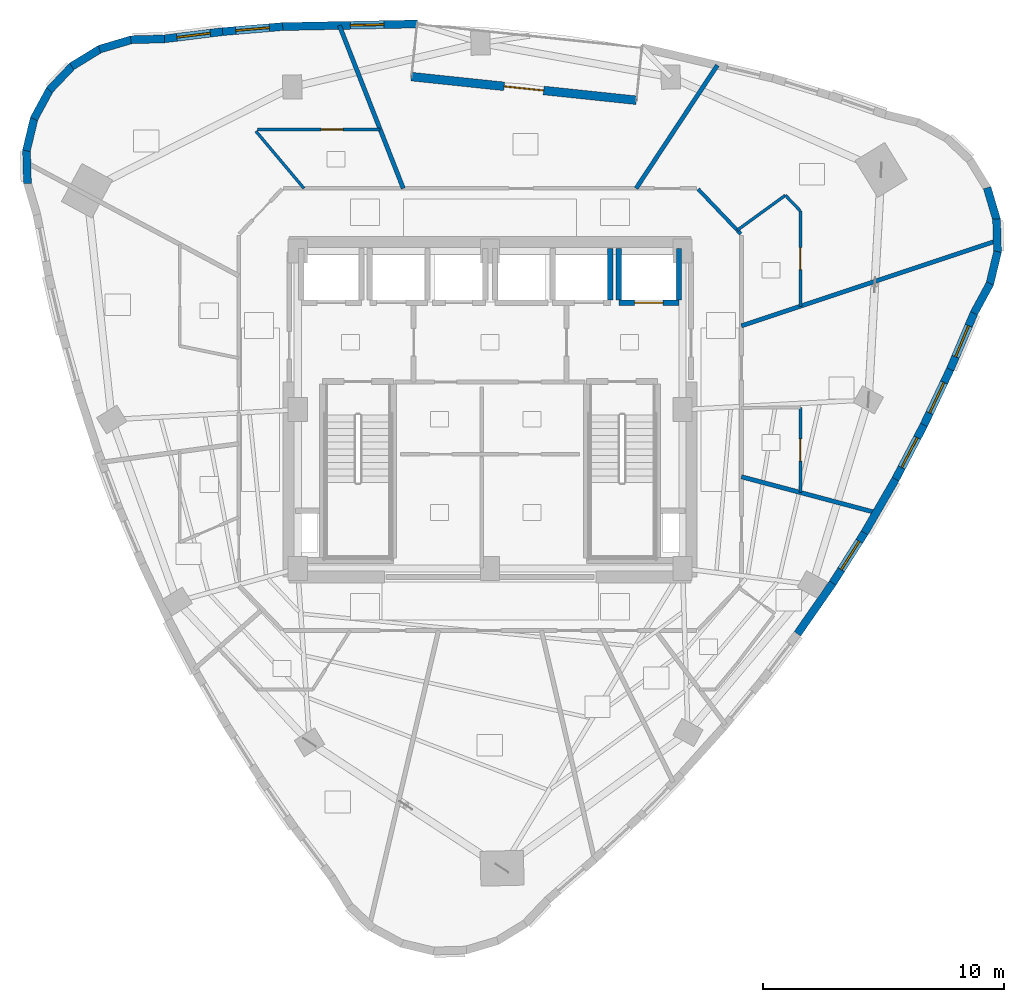
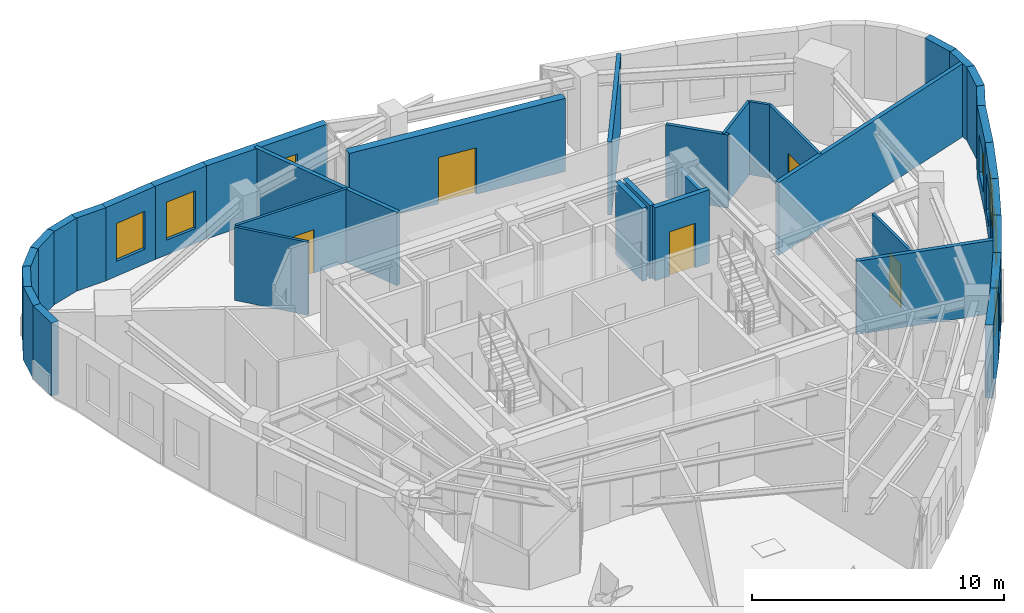
# One storey, part 8 of 12: 36 walls, 7 windows, 5 doors, 12 openings.
"""IFC4 building model written with IfcOpenShell, lengths in metres."""

from ifc_helpers import new_model, si_unit, direction, frame, frame_2d, origin, place, context, subcontext, project, spatial, rectangle, extrude, material, layer, layer_set, type_object, element, fill, save


model = new_model("IFC4")

# Units and contexts
model_context = context("Model", 3, precision=1e-05, world=origin(), true_north=direction((0.0, 1.0)))
body_context = subcontext(model_context, "Body", "Model", "MODEL_VIEW")
ifc_project = project(units=[si_unit("LENGTHUNIT", "METRE"), si_unit("AREAUNIT", "SQUARE_METRE"), si_unit("VOLUMEUNIT", "CUBIC_METRE"), si_unit("PLANEANGLEUNIT", "RADIAN"), si_unit("MASSUNIT", "GRAM", prefix="KILO")], contexts=[model_context])

# Site, building, storey
site_placement = place(None, origin())
site = spatial("IfcSite", under=ifc_project, at=site_placement, CompositionType="ELEMENT")
building_placement = place(site_placement, origin())
building = spatial("IfcBuilding", under=site, at=building_placement, Name="Ndelora Gate Hotel", CompositionType="ELEMENT")
storey_placement = place(building_placement, frame((0.0, 0.0, 190.35009765625)))
storey = spatial("IfcBuildingStorey", under=building, at=storey_placement, Name="L47", CompositionType="ELEMENT", Elevation=190.35009765625)

# Walls
ifc_material_1 = material(Name="Acoustic Double-Stud Gypsum Assembly", Category="gypsum")
ifc_layer_1 = layer(ifc_material_1, 0.179931640625)
ifc_layer_set_1 = layer_set([ifc_layer_1], Name="Acoustic Double-Stud Gypsum Assembly")
wall_type_1 = type_object("IfcWallType", Name="WL-ACOUST-180", PredefinedType="PARTITIONING", material=ifc_layer_set_1)
wall_1_placement = place(storey_placement, frame((10.449951171875, -2.788330078125, 0.0), z_axis=(0.0, 0.0, 1.0), x_axis=(0.966187404049, -0.257840842879, 0.0)))
element("IfcWall", 1, at=wall_1_placement, inside=storey, type_object=wall_type_1, Name="L47 Interior Wall IW-3", PredefinedType="PARTITIONING", context=body_context, shape_type="SweptSolid", body=[
    extrude(rectangle(XDim=5.798583984375, YDim=0.179931640625, at=frame_2d((2.8994140625, 0.0))), origin(), (0.0, 0.0, 1.0), 3.5498046875),
])
wall_2_placement = place(storey_placement, frame((10.449951171875, 3.48388671875, 0.0), z_axis=(0.0, 0.0, 1.0), x_axis=(0.94867676156, 0.316247374812, 0.0)))
element("IfcWall", 2, at=wall_2_placement, inside=storey, type_object=wall_type_1, Name="L47 Interior Wall IW-3", PredefinedType="PARTITIONING", context=body_context, shape_type="SweptSolid", body=[
    extrude(rectangle(XDim=11.20556640625, YDim=0.179931640625, at=frame_2d((5.602783203125, 0.0))), origin(), (0.0, 0.0, 1.0), 3.5498046875),
])
wall_3_placement = place(storey_placement, frame((6.0703125, 9.199951171875, 0.0), z_axis=(0.0, 0.0, 1.0), x_axis=(0.550708603457, 0.834697570428, 0.0)))
element("IfcWall", 3, at=wall_3_placement, inside=storey, type_object=wall_type_1, Name="L47 Interior Wall IW-3", PredefinedType="PARTITIONING", context=body_context, shape_type="SweptSolid", body=[
    extrude(rectangle(XDim=6.135498046875, YDim=0.179931640625, at=frame_2d((3.06787109375, 0.0))), origin(), (0.0, 0.0, 1.0), 3.5498046875),
])
wall_4_placement = place(storey_placement, frame((-3.608642578125, 9.199951171875, 0.0), z_axis=(0.0, 0.0, 1.0), x_axis=(-0.365139424443, 0.930952845593, 0.0)))
element("IfcWall", 4, at=wall_4_placement, inside=storey, type_object=wall_type_1, Name="L47 Interior Wall IW-3", PredefinedType="PARTITIONING", context=body_context, shape_type="SweptSolid", body=[
    extrude(rectangle(XDim=7.275390625, YDim=0.179931640625, at=frame_2d((3.6376953125, 0.0))), origin(), (0.0, 0.0, 1.0), 3.5498046875),
])
ifc_material_2 = material(Name="Clay Brick Masonry", Category="masonry")
ifc_layer_2 = layer(ifc_material_2, 0.330078125)
ifc_layer_set_2 = layer_set([ifc_layer_2], Name="Clay Brick Masonry")
wall_type_2 = type_object("IfcWallType", Name="WL-BRICK-330", PredefinedType="SOLIDWALL", material=ifc_layer_set_2)
wall_5_placement = place(storey_placement, frame((-14.938232421875, 15.37939453125, 0.0), z_axis=(0.0, 0.0, 1.0), x_axis=(0.999656913907, 0.02619264168, 0.0)))
element("IfcWall", 5, at=wall_5_placement, inside=storey, type_object=wall_type_2, Name="L47 Tower Brick Pier-and-Spandrel Wall TWR-1", PredefinedType="SOLIDWALL", context=body_context, shape_type="SweptSolid", body=[
    extrude(rectangle(XDim=1.407470703125, YDim=0.330078125, at=frame_2d((0.70361328125, 0.0))), origin(), (0.0, 0.0, 1.0), 3.5498046875),
])
wall_6_placement = place(storey_placement, frame((-16.23876953125, 14.9873046875, 0.0), z_axis=(0.0, 0.0, 1.0), x_axis=(0.958794613149, 0.284100140437, 0.0)))
element("IfcWall", 6, at=wall_6_placement, inside=storey, type_object=wall_type_2, Name="L47 Tower Brick Pier-and-Spandrel Wall TWR-2", PredefinedType="SOLIDWALL", context=body_context, shape_type="SweptSolid", body=[
    extrude(rectangle(XDim=1.40771484375, YDim=0.330078125, at=frame_2d((0.703857421875, 0.0))), origin(), (0.0, 0.0, 1.0), 3.5498046875),
])
wall_7_placement = place(storey_placement, frame((-17.3935546875, 14.272216796875, 0.0), z_axis=(0.0, 0.0, 1.0), x_axis=(0.852633662668, 0.522509174355, 0.0)))
element("IfcWall", 7, at=wall_7_placement, inside=storey, type_object=wall_type_2, Name="L47 Tower Brick Pier-and-Spandrel Wall TWR-3", PredefinedType="SOLIDWALL", context=body_context, shape_type="SweptSolid", body=[
    extrude(rectangle(XDim=1.4072265625, YDim=0.330078125, at=frame_2d((0.70361328125, 0.0))), origin(), (0.0, 0.0, 1.0), 3.5498046875),
])
wall_8_placement = place(storey_placement, frame((-18.323974609375, 13.282470703125, 0.0), z_axis=(0.0, 0.0, 1.0), x_axis=(0.688480442028, 0.725254907563, 0.0)))
element("IfcWall", 8, at=wall_8_placement, inside=storey, type_object=wall_type_2, Name="L47 Tower Brick Pier-and-Spandrel Wall TWR-4", PredefinedType="SOLIDWALL", context=body_context, shape_type="SweptSolid", body=[
    extrude(rectangle(XDim=1.407470703125, YDim=0.330078125, at=frame_2d((0.70361328125, 0.0))), origin(), (0.0, 0.0, 1.0), 3.5498046875),
])
wall_9_placement = place(storey_placement, frame((-18.96630859375, 12.085693359375, 0.0), z_axis=(0.0, 0.0, 1.0), x_axis=(0.477076549129, 0.878861744685, 0.0)))
element("IfcWall", 9, at=wall_9_placement, inside=storey, type_object=wall_type_2, Name="L47 Tower Brick Pier-and-Spandrel Wall TWR-5", PredefinedType="SOLIDWALL", context=body_context, shape_type="SweptSolid", body=[
    extrude(rectangle(XDim=1.4072265625, YDim=0.330078125, at=frame_2d((0.70361328125, 0.0))), origin(), (0.0, 0.0, 1.0), 3.5498046875),
])
for number, where, z_axis, x_axis, name in (
    (10, (-19.277099609375, 10.76318359375, 0.0), (0.0, 0.0, 1.0), (0.233464793771, 0.972365255482, 0.0), "L47 Tower Brick Pier-and-Spandrel Wall TWR-6"),
    (11, (-19.235107421875, 9.405517578125, 0.0), (0.0, 0.0, 1.0), (-0.02619264168, 0.999656913907, 0.0), "L47 Tower Brick Pier-and-Spandrel Wall TWR-7"),
):
    element("IfcWall", number, at=place(storey_placement, frame(where, z_axis=z_axis, x_axis=x_axis)), inside=storey, type_object=wall_type_2, Name=name, PredefinedType="SOLIDWALL", context=body_context, shape_type="SweptSolid", body=[
        extrude(rectangle(XDim=1.407470703125, YDim=0.330078125, at=frame_2d((0.70361328125, 0.0))), origin(), (0.0, 0.0, 1.0), 3.5498046875),
    ])
wall_10_placement = place(storey_placement, frame((14.244140625, -7.208740234375, 0.0), z_axis=(0.0, 0.0, 1.0), x_axis=(-0.5707327312, -0.821135889812, 0.0)))
element("IfcWall", 12, at=wall_10_placement, inside=storey, type_object=wall_type_2, Name="L47 Tower Brick Pier-and-Spandrel Wall TWR-35", PredefinedType="SOLIDWALL", context=body_context, shape_type="SweptSolid", body=[
    extrude(rectangle(XDim=2.566162109375, YDim=0.330078125, at=frame_2d((1.283203125, 0.0))), origin(), (0.0, 0.0, 1.0), 3.5498046875),
])

# Wall, opening, window
wall_11_placement = place(storey_placement, frame((15.59375, -5.079833984375, 0.0), z_axis=(0.0, 0.0, 1.0), x_axis=(-0.535842668183, -0.844317851851, 0.0)))
wall_11 = element("IfcWall", 13, at=wall_11_placement, inside=storey, type_object=wall_type_2, Name="L47 Tower Brick Pier-and-Spandrel Wall TWR-36", PredefinedType="SOLIDWALL", context=body_context, shape_type="SweptSolid", body=[
    extrude(rectangle(XDim=2.570556640625, YDim=0.330078125, at=frame_2d((1.28515625, 0.0))), origin(), (0.0, 0.0, 1.0), 3.5498046875),
])
opening_1_placement = place(wall_11_placement, frame((0.4599609375, 0.0, 0.719970703125)))
opening_1 = element("IfcOpeningElement", 14, at=opening_1_placement, cuts=wall_11, Name="Opening W02", PredefinedType="OPENING", context=body_context, shape_type="SweptSolid", body=[
    extrude(rectangle(XDim=1.39990234375, YDim=1.840087890625, at=frame_2d((0.699951171875, 0.919921875))), frame((0.0, 0.175048828125, 0.0), z_axis=(0.0, -1.0, 0.0), x_axis=(1.0, 0.0, 0.0)), (0.0, 0.0, 1.0), 0.35009765625),
])
ifc_material_3 = material(Name="Insulated Low-E Double Glazing in Bronze Aluminium Frame", Category="aluminium")
window_type = type_object("IfcWindowType", Name="WN-DEEP-1400", PartitioningType="SINGLE_PANEL", PredefinedType="WINDOW", material=ifc_material_3)
window_1_placement = place(opening_1_placement, origin())
window_1 = element("IfcWindow", 15, at=window_1_placement, inside=storey, type_object=window_type, Name="L47 Deep-Set Brick-Pier Window W02", OverallHeight=1.840087890625, OverallWidth=1.39990234375, PartitioningType="SINGLE_PANEL", PredefinedType="WINDOW", context=body_context, shape_type="SweptSolid", body=[
    extrude(rectangle(XDim=1.39990234375, YDim=1.840087890625, at=frame_2d((0.699951171875, 0.919921875))), frame((0.0, 0.030029296875, 0.0), z_axis=(0.0, -1.0, 0.0), x_axis=(1.0, 0.0, 0.0)), (0.0, 0.0, 1.0), 0.06005859375),
])
fill(opening_1, window_1)

# Wall
wall_12_placement = place(storey_placement, frame((16.85791015625, -2.88916015625, 0.0), z_axis=(0.0, 0.0, 1.0), x_axis=(-0.500170355229, -0.865927026804, 0.0)))
element("IfcWall", 16, at=wall_12_placement, inside=storey, type_object=wall_type_2, Name="L47 Tower Brick Pier-and-Spandrel Wall TWR-37", PredefinedType="SOLIDWALL", context=body_context, shape_type="SweptSolid", body=[
    extrude(rectangle(XDim=2.5791015625, YDim=0.330078125, at=frame_2d((1.28955078125, 0.0))), origin(), (0.0, 0.0, 1.0), 3.5498046875),
])

# Wall, opening, window
wall_13_placement = place(storey_placement, frame((18.036865234375, -0.636474609375, 0.0), z_axis=(0.0, 0.0, 1.0), x_axis=(-0.464084409115, -0.885790980546, 0.0)))
wall_13 = element("IfcWall", 17, at=wall_13_placement, inside=storey, type_object=wall_type_2, Name="L47 Tower Brick Pier-and-Spandrel Wall TWR-38", PredefinedType="SOLIDWALL", context=body_context, shape_type="SweptSolid", body=[
    extrude(rectangle(XDim=2.592529296875, YDim=0.330078125, at=frame_2d((1.29638671875, 0.0))), origin(), (0.0, 0.0, 1.0), 3.5498046875),
])
opening_2_placement = place(wall_13_placement, frame((0.59619140625, 0.0, 0.719970703125)))
opening_2 = element("IfcOpeningElement", 18, at=opening_2_placement, cuts=wall_13, Name="Opening W02", PredefinedType="OPENING", context=body_context, shape_type="SweptSolid", body=[
    extrude(rectangle(XDim=1.39990234375, YDim=1.840087890625, at=frame_2d((0.699951171875, 0.919921875))), frame((0.0, 0.175048828125, 0.0), z_axis=(0.0, -1.0, 0.0), x_axis=(1.0, 0.0, 0.0)), (0.0, 0.0, 1.0), 0.35009765625),
])
window_2_placement = place(opening_2_placement, origin())
window_2 = element("IfcWindow", 19, at=window_2_placement, inside=storey, type_object=window_type, Name="L47 Deep-Set Brick-Pier Window W02", OverallHeight=1.840087890625, OverallWidth=1.39990234375, PartitioningType="SINGLE_PANEL", PredefinedType="WINDOW", context=body_context, shape_type="SweptSolid", body=[
    extrude(rectangle(XDim=1.39990234375, YDim=1.840087890625, at=frame_2d((0.699951171875, 0.919921875))), frame((0.0, 0.030029296875, 0.0), z_axis=(0.0, -1.0, 0.0), x_axis=(1.0, 0.0, 0.0)), (0.0, 0.0, 1.0), 0.06005859375),
])
fill(opening_2, window_2)

wall_14_placement = place(storey_placement, frame((19.130126953125, 1.678466796875, 0.0), z_axis=(0.0, 0.0, 1.0), x_axis=(-0.427463017216, -0.904032836191, 0.0)))
wall_14 = element("IfcWall", 20, at=wall_14_placement, inside=storey, type_object=wall_type_2, Name="L47 Tower Brick Pier-and-Spandrel Wall TWR-39", PredefinedType="SOLIDWALL", context=body_context, shape_type="SweptSolid", body=[
    extrude(rectangle(XDim=2.610107421875, YDim=0.330078125, at=frame_2d((1.30517578125, 0.0))), origin(), (0.0, 0.0, 1.0), 3.5498046875),
])
opening_3_placement = place(wall_14_placement, frame((0.60498046875, 0.0, 0.719970703125)))
opening_3 = element("IfcOpeningElement", 21, at=opening_3_placement, cuts=wall_14, Name="Opening W02", PredefinedType="OPENING", context=body_context, shape_type="SweptSolid", body=[
    extrude(rectangle(XDim=1.39990234375, YDim=1.840087890625, at=frame_2d((0.699951171875, 0.919921875))), frame((0.0, 0.175048828125, 0.0), z_axis=(0.0, -1.0, 0.0), x_axis=(1.0, 0.0, 0.0)), (0.0, 0.0, 1.0), 0.35009765625),
])
window_3_placement = place(opening_3_placement, origin())
window_3 = element("IfcWindow", 22, at=window_3_placement, inside=storey, type_object=window_type, Name="L47 Deep-Set Brick-Pier Window W02", OverallHeight=1.840087890625, OverallWidth=1.39990234375, PartitioningType="SINGLE_PANEL", PredefinedType="WINDOW", context=body_context, shape_type="SweptSolid", body=[
    extrude(rectangle(XDim=1.39990234375, YDim=1.840087890625, at=frame_2d((0.699951171875, 0.919921875))), frame((0.0, 0.030029296875, 0.0), z_axis=(0.0, -1.0, 0.0), x_axis=(1.0, 0.0, 0.0)), (0.0, 0.0, 1.0), 0.06005859375),
])
fill(opening_3, window_3)

wall_15_placement = place(storey_placement, frame((20.13818359375, 4.05517578125, 0.0), z_axis=(0.0, 0.0, 1.0), x_axis=(-0.390838099147, -0.920459439766, 0.0)))
wall_15 = element("IfcWall", 23, at=wall_15_placement, inside=storey, type_object=wall_type_2, Name="L47 Tower Brick Pier-and-Spandrel Wall TWR-40", PredefinedType="SOLIDWALL", context=body_context, shape_type="SweptSolid", body=[
    extrude(rectangle(XDim=2.631591796875, YDim=0.330078125, at=frame_2d((1.31591796875, 0.0))), origin(), (0.0, 0.0, 1.0), 3.5498046875),
])
opening_4_placement = place(wall_15_placement, frame((0.61572265625, 0.0, 0.719970703125)))
opening_4 = element("IfcOpeningElement", 24, at=opening_4_placement, cuts=wall_15, Name="Opening W02", PredefinedType="OPENING", context=body_context, shape_type="SweptSolid", body=[
    extrude(rectangle(XDim=1.39990234375, YDim=1.840087890625, at=frame_2d((0.699951171875, 0.919921875))), frame((0.0, 0.175048828125, 0.0), z_axis=(0.0, -1.0, 0.0), x_axis=(1.0, 0.0, 0.0)), (0.0, 0.0, 1.0), 0.35009765625),
])
window_4_placement = place(opening_4_placement, origin())
window_4 = element("IfcWindow", 25, at=window_4_placement, inside=storey, type_object=window_type, Name="L47 Deep-Set Brick-Pier Window W02", OverallHeight=1.840087890625, OverallWidth=1.39990234375, PartitioningType="SINGLE_PANEL", PredefinedType="WINDOW", context=body_context, shape_type="SweptSolid", body=[
    extrude(rectangle(XDim=1.39990234375, YDim=1.840087890625, at=frame_2d((0.699951171875, 0.919921875))), frame((0.0, 0.030029296875, 0.0), z_axis=(0.0, -1.0, 0.0), x_axis=(1.0, 0.0, 0.0)), (0.0, 0.0, 1.0), 0.06005859375),
])
fill(opening_4, window_4)

# Walls
wall_16_placement = place(storey_placement, frame((20.7880859375, 5.247314453125, 0.0), z_axis=(0.0, 0.0, 1.0), x_axis=(-0.477137792558, -0.878828496871, 0.0)))
element("IfcWall", 26, at=wall_16_placement, inside=storey, type_object=wall_type_2, Name="L47 Tower Brick Pier-and-Spandrel Wall TWR-41", PredefinedType="SOLIDWALL", context=body_context, shape_type="SweptSolid", body=[
    extrude(rectangle(XDim=1.40771484375, YDim=0.330078125, at=frame_2d((0.703857421875, 0.0))), origin(), (0.0, 0.0, 1.0), 3.5498046875),
])
for number, where, z_axis, x_axis, name in (
    (27, (21.098876953125, 6.569580078125, 0.0), (0.0, 0.0, 1.0), (-0.233464793771, -0.972365255482, 0.0), "L47 Tower Brick Pier-and-Spandrel Wall TWR-42"),
    (28, (21.056884765625, 7.92724609375, 0.0), (0.0, 0.0, 1.0), (0.02619264168, -0.999656913907, 0.0), "L47 Tower Brick Pier-and-Spandrel Wall TWR-43"),
):
    element("IfcWall", number, at=place(storey_placement, frame(where, z_axis=z_axis, x_axis=x_axis)), inside=storey, type_object=wall_type_2, Name=name, PredefinedType="SOLIDWALL", context=body_context, shape_type="SweptSolid", body=[
        extrude(rectangle(XDim=1.407470703125, YDim=0.330078125, at=frame_2d((0.70361328125, 0.0))), origin(), (0.0, 0.0, 1.0), 3.5498046875),
    ])
wall_17_placement = place(storey_placement, frame((20.664794921875, 9.227783203125, 0.0), z_axis=(0.0, 0.0, 1.0), x_axis=(0.284100140437, -0.958794613149, 0.0)))
element("IfcWall", 29, at=wall_17_placement, inside=storey, type_object=wall_type_2, Name="L47 Tower Brick Pier-and-Spandrel Wall TWR-44", PredefinedType="SOLIDWALL", context=body_context, shape_type="SweptSolid", body=[
    extrude(rectangle(XDim=1.40771484375, YDim=0.330078125, at=frame_2d((0.703857421875, 0.0))), origin(), (0.0, 0.0, 1.0), 3.5498046875),
])

# Wall, opening, window
wall_18_placement = place(storey_placement, frame((-8.671142578125, 15.926025390625, 0.0), z_axis=(0.0, 0.0, 1.0), x_axis=(0.999810548716, 0.019464497862, 0.0)))
wall_18 = element("IfcWall", 30, at=wall_18_placement, inside=storey, type_object=wall_type_2, Name="L47 Tower Brick Pier-and-Spandrel Wall TWR-56", PredefinedType="SOLIDWALL", context=body_context, shape_type="SweptSolid", body=[
    extrude(rectangle(XDim=5.65673828125, YDim=0.330078125, at=frame_2d((2.828369140625, 0.0))), origin(), (0.0, 0.0, 1.0), 3.5498046875),
])
opening_5_placement = place(wall_18_placement, frame((2.860107421875, 0.0, 0.719970703125)))
opening_5 = element("IfcOpeningElement", 31, at=opening_5_placement, cuts=wall_18, Name="Opening W02", PredefinedType="OPENING", context=body_context, shape_type="SweptSolid", body=[
    extrude(rectangle(XDim=1.39990234375, YDim=1.8798828125, at=frame_2d((0.699951171875, 0.93994140625))), frame((0.0, 0.175048828125, 0.0), z_axis=(0.0, -1.0, 0.0), x_axis=(1.0, 0.0, 0.0)), (0.0, 0.0, 1.0), 0.35009765625),
])
window_5_placement = place(opening_5_placement, origin())
window_5 = element("IfcWindow", 32, at=window_5_placement, inside=storey, type_object=window_type, Name="L47 Deep-Set Brick-Pier Window W02", OverallHeight=1.8798828125, OverallWidth=1.39990234375, PartitioningType="SINGLE_PANEL", PredefinedType="WINDOW", context=body_context, shape_type="SweptSolid", body=[
    extrude(rectangle(XDim=1.39990234375, YDim=1.8798828125, at=frame_2d((0.699951171875, 0.93994140625))), frame((0.0, 0.030029296875, 0.0), z_axis=(0.0, -1.0, 0.0), x_axis=(1.0, 0.0, 0.0)), (0.0, 0.0, 1.0), 0.06005859375),
])
fill(opening_5, window_5)

wall_19_placement = place(storey_placement, frame((-11.12109375, 15.71728515625, 0.0), z_axis=(0.0, 0.0, 1.0), x_axis=(0.996442999906, 0.084269495891, 0.0)))
wall_19 = element("IfcWall", 33, at=wall_19_placement, inside=storey, type_object=wall_type_2, Name="L47 Tower Brick Pier-and-Spandrel Wall TWR-57", PredefinedType="SOLIDWALL", context=body_context, shape_type="SweptSolid", body=[
    extrude(rectangle(XDim=2.509033203125, YDim=0.330078125, at=frame_2d((1.25439453125, 0.0))), origin(), (0.0, 0.0, 1.0), 3.5498046875),
])
opening_6_placement = place(wall_19_placement, frame((0.554443359375, 0.0, 0.719970703125)))
opening_6 = element("IfcOpeningElement", 34, at=opening_6_placement, cuts=wall_19, Name="Opening W02", PredefinedType="OPENING", context=body_context, shape_type="SweptSolid", body=[
    extrude(rectangle(XDim=1.39990234375, YDim=1.840087890625, at=frame_2d((0.699951171875, 0.919921875))), frame((0.0, 0.175048828125, 0.0), z_axis=(0.0, -1.0, 0.0), x_axis=(1.0, 0.0, 0.0)), (0.0, 0.0, 1.0), 0.35009765625),
])
window_6_placement = place(opening_6_placement, origin())
window_6 = element("IfcWindow", 35, at=window_6_placement, inside=storey, type_object=window_type, Name="L47 Deep-Set Brick-Pier Window W02", OverallHeight=1.840087890625, OverallWidth=1.39990234375, PartitioningType="SINGLE_PANEL", PredefinedType="WINDOW", context=body_context, shape_type="SweptSolid", body=[
    extrude(rectangle(XDim=1.39990234375, YDim=1.840087890625, at=frame_2d((0.699951171875, 0.919921875))), frame((0.0, 0.030029296875, 0.0), z_axis=(0.0, -1.0, 0.0), x_axis=(1.0, 0.0, 0.0)), (0.0, 0.0, 1.0), 0.06005859375),
])
fill(opening_6, window_6)

wall_20_placement = place(storey_placement, frame((-13.5810546875, 15.41259765625, 0.0), z_axis=(0.0, 0.0, 1.0), x_axis=(0.992455084251, 0.122608750681, 0.0)))
wall_20 = element("IfcWall", 36, at=wall_20_placement, inside=storey, type_object=wall_type_2, Name="L47 Tower Brick Pier-and-Spandrel Wall TWR-58", PredefinedType="SOLIDWALL", context=body_context, shape_type="SweptSolid", body=[
    extrude(rectangle(XDim=2.52880859375, YDim=0.330078125, at=frame_2d((1.264404296875, 0.0))), origin(), (0.0, 0.0, 1.0), 3.5498046875),
])
opening_7_placement = place(wall_20_placement, frame((0.564453125, 0.0, 0.719970703125)))
opening_7 = element("IfcOpeningElement", 37, at=opening_7_placement, cuts=wall_20, Name="Opening W02", PredefinedType="OPENING", context=body_context, shape_type="SweptSolid", body=[
    extrude(rectangle(XDim=1.39990234375, YDim=1.840087890625, at=frame_2d((0.699951171875, 0.919921875))), frame((0.0, 0.175048828125, 0.0), z_axis=(0.0, -1.0, 0.0), x_axis=(1.0, 0.0, 0.0)), (0.0, 0.0, 1.0), 0.35009765625),
])
window_7_placement = place(opening_7_placement, origin())
window_7 = element("IfcWindow", 38, at=window_7_placement, inside=storey, type_object=window_type, Name="L47 Deep-Set Brick-Pier Window W02", OverallHeight=1.840087890625, OverallWidth=1.39990234375, PartitioningType="SINGLE_PANEL", PredefinedType="WINDOW", context=body_context, shape_type="SweptSolid", body=[
    extrude(rectangle(XDim=1.39990234375, YDim=1.840087890625, at=frame_2d((0.699951171875, 0.919921875))), frame((0.0, 0.030029296875, 0.0), z_axis=(0.0, -1.0, 0.0), x_axis=(1.0, 0.0, 0.0)), (0.0, 0.0, 1.0), 0.06005859375),
])
fill(opening_7, window_7)

# Wall, opening, door
ifc_layer_3 = layer(ifc_material_2, 0.360107421875)
ifc_layer_set_3 = layer_set([ifc_layer_3], Name="Clay Brick Masonry")
wall_type_3 = type_object("IfcWallType", Name="WL-BRICK-360", PredefinedType="SOLIDWALL", material=ifc_layer_set_3)
wall_21_placement = place(storey_placement, frame((-3.2705078125, 13.84765625, 0.0), z_axis=(0.0, 0.0, 1.0), x_axis=(0.994520954065, -0.104537418785, 0.0)))
wall_21 = element("IfcWall", 39, at=wall_21_placement, inside=storey, type_object=wall_type_3, Name="L47 Sky-Garden Loggia Rear Brick Wall", PredefinedType="SOLIDWALL", context=body_context, shape_type="SweptSolid", body=[
    extrude(rectangle(XDim=9.400146484375, YDim=0.360107421875, at=frame_2d((4.7001953125, 0.0))), origin(), (0.0, 0.0, 1.0), 3.5498046875),
])
opening_8_placement = place(wall_21_placement, frame((3.875, 0.0, 0.0)))
opening_8 = element("IfcOpeningElement", 40, at=opening_8_placement, cuts=wall_21, Name="Opening TD1", PredefinedType="OPENING", context=body_context, shape_type="SweptSolid", body=[
    extrude(rectangle(XDim=1.64990234375, YDim=2.25, at=frame_2d((0.824951171875, 1.125))), frame((0.0, 0.18994140625, 0.0), z_axis=(0.0, -1.0, 0.0), x_axis=(1.0, 0.0, 0.0)), (0.0, 0.0, 1.0), 0.380126953125),
])
ifc_material_4 = material(Name="Architectural Bronze Glazed Door", Category="metal")
door_type_1 = type_object("IfcDoorType", Name="DR-TER-1650", OperationType="DOUBLE_DOOR_SINGLE_SWING", PredefinedType="DOOR", material=ifc_material_4)
door_1_placement = place(opening_8_placement, origin())
door_1 = element("IfcDoor", 41, at=door_1_placement, inside=storey, type_object=door_type_1, Name="L47 Sky-Garden Terrace Double Door TD1", OperationType="DOUBLE_DOOR_SINGLE_SWING", OverallHeight=2.25, OverallWidth=1.64990234375, PredefinedType="DOOR", context=body_context, shape_type="SweptSolid", body=[
    extrude(rectangle(XDim=1.64990234375, YDim=2.25, at=frame_2d((0.824951171875, 1.125))), frame((0.0, 0.02490234375, 0.0), z_axis=(0.0, -1.0, 0.0), x_axis=(1.0, 0.0, 0.0)), (0.0, 0.0, 1.0), 0.050048828125),
])
fill(opening_8, door_1)

# Wall
ifc_material_5 = material(Name="Fire-Rated Gypsum Stud Partition", Category="gypsum")
ifc_layer_4 = layer(ifc_material_5, 0.14990234375)
ifc_layer_set_4 = layer_set([ifc_layer_4], Name="Fire-Rated Gypsum Stud Partition")
wall_type_4 = type_object("IfcWallType", Name="WL-PART-150", PredefinedType="PARTITIONING", material=ifc_layer_set_4)
wall_22_placement = place(storey_placement, frame((8.647705078125, 9.1708984375, 0.0), z_axis=(0.0, 0.0, 1.0), x_axis=(0.689960858356, -0.723846678473, 0.0)))
element("IfcWall", 42, at=wall_22_placement, inside=storey, type_object=wall_type_4, Name="L47 Interior Wall IW-5", PredefinedType="PARTITIONING", context=body_context, shape_type="SweptSolid", body=[
    extrude(rectangle(XDim=2.572021484375, YDim=0.14990234375, at=frame_2d((1.2861328125, 0.0))), origin(), (0.0, 0.0, 1.0), 3.5498046875),
])

# Wall, opening, door
ifc_material_6 = material(Name="Concrete C40/50", Category="concrete")
ifc_layer_5 = layer(ifc_material_6, 0.219970703125)
ifc_layer_set_5 = layer_set([ifc_layer_5], Name="Concrete C40/50")
wall_type_5 = type_object("IfcWallType", Name="WL-SHAFT-220", PredefinedType="PARTITIONING", material=ifc_layer_set_5)
wall_23_placement = place(storey_placement, frame((5.35009765625, 4.449951171875, 0.0), z_axis=(0.0, 0.0, 1.0), x_axis=(1.0, 0.0, 0.0)))
wall_23 = element("IfcWall", 43, at=wall_23_placement, inside=storey, type_object=wall_type_5, Name="L47 Interior Wall IW-1", PredefinedType="PARTITIONING", context=body_context, shape_type="SweptSolid", body=[
    extrude(rectangle(XDim=2.5, YDim=0.219970703125, at=frame_2d((1.25, 0.0))), origin(), (0.0, 0.0, 1.0), 3.5498046875),
])
opening_9_placement = place(wall_23_placement, frame((0.659912109375, 0.0, 0.0)))
opening_9 = element("IfcOpeningElement", 44, at=opening_9_placement, cuts=wall_23, Name="Opening LD5", PredefinedType="OPENING", context=body_context, shape_type="SweptSolid", body=[
    extrude(rectangle(XDim=1.179931640625, YDim=2.14990234375, at=frame_2d((0.58984375, 1.074951171875))), frame((0.0, 0.1201171875, 0.0), z_axis=(0.0, -1.0, 0.0), x_axis=(1.0, 0.0, 0.0)), (0.0, 0.0, 1.0), 0.239990234375),
])
ifc_material_7 = material(Name="Firefighting Lift Stainless Sliding Landing Door", Category="metal")
door_type_2 = type_object("IfcDoorType", Name="DR-LD5", OperationType="DOUBLE_DOOR_SLIDING", PredefinedType="DOOR", material=ifc_material_7)
door_2_placement = place(opening_9_placement, origin())
door_2 = element("IfcDoor", 45, at=door_2_placement, inside=storey, type_object=door_type_2, Name="L47 Lift Landing Sliding Door FFL2", OperationType="DOUBLE_DOOR_SLIDING", OverallHeight=2.14990234375, OverallWidth=1.179931640625, PredefinedType="DOOR", context=body_context, shape_type="SweptSolid", body=[
    extrude(rectangle(XDim=1.179931640625, YDim=2.14990234375, at=frame_2d((0.58984375, 1.074951171875))), frame((0.0, 0.02490234375, 0.0), z_axis=(0.0, -1.0, 0.0), x_axis=(1.0, 0.0, 0.0)), (0.0, 0.0, 1.0), 0.050048828125),
])
fill(opening_9, door_2)

# Walls
wall_24_placement = place(storey_placement, frame((5.35009765625, 4.570068359375, 0.0), z_axis=(0.0, 0.0, 1.0), x_axis=(0.0, 1.0, 0.0)))
element("IfcWall", 46, at=wall_24_placement, inside=storey, type_object=wall_type_5, Name="L47 Interior Wall IW-1", PredefinedType="PARTITIONING", context=body_context, shape_type="SweptSolid", body=[
    extrude(rectangle(XDim=2.1298828125, YDim=0.219970703125, at=frame_2d((1.06494140625, 0.0))), origin(), (0.0, 0.0, 1.0), 3.5498046875),
])
wall_25_placement = place(storey_placement, frame((7.85009765625, 4.570068359375, 0.0), z_axis=(0.0, 0.0, 1.0), x_axis=(0.0, 1.0, 0.0)))
element("IfcWall", 47, at=wall_25_placement, inside=storey, type_object=wall_type_5, Name="L47 Interior Wall IW-1", PredefinedType="PARTITIONING", context=body_context, shape_type="SweptSolid", body=[
    extrude(rectangle(XDim=2.1298828125, YDim=0.219970703125, at=frame_2d((1.06494140625, 0.0))), origin(), (0.0, 0.0, 1.0), 3.179931640625),
])
wall_26_placement = place(storey_placement, frame((5.0, 4.570068359375, 0.0), z_axis=(0.0, 0.0, 1.0), x_axis=(0.0, 1.0, 0.0)))
element("IfcWall", 48, at=wall_26_placement, inside=storey, type_object=wall_type_5, Name="L47 Interior Wall IW-1", PredefinedType="PARTITIONING", context=body_context, shape_type="SweptSolid", body=[
    extrude(rectangle(XDim=2.1298828125, YDim=0.219970703125, at=frame_2d((1.06494140625, 0.0))), origin(), (0.0, 0.0, 1.0), 3.5498046875),
])

# Wall, opening, door
ifc_material_8 = material(Name="Moisture-Resistant Bathroom Tile Partition", Category="gypsum")
ifc_layer_6 = layer(ifc_material_8, 0.1201171875)
ifc_layer_set_6 = layer_set([ifc_layer_6], Name="Moisture-Resistant Bathroom Tile Partition")
wall_type_6 = type_object("IfcWallType", Name="WL-WET-120", PredefinedType="PARTITIONING", material=ifc_layer_set_6)
wall_27_placement = place(storey_placement, frame((12.89990234375, 0.093017578125, 0.0), z_axis=(0.0, 0.0, 1.0), x_axis=(0.0, -1.0, 0.0)))
wall_27 = element("IfcWall", 49, at=wall_27_placement, inside=storey, type_object=wall_type_6, Name="L47 Interior Wall IW-7", PredefinedType="PARTITIONING", context=body_context, shape_type="SweptSolid", body=[
    extrude(rectangle(XDim=3.53515625, YDim=0.1201171875, at=frame_2d((1.767578125, 0.0))), origin(), (0.0, 0.0, 1.0), 3.22998046875),
])
opening_10_placement = place(wall_27_placement, frame((1.3076171875, 0.0, 0.0)))
opening_10 = element("IfcOpeningElement", 50, at=opening_10_placement, cuts=wall_27, Name="Opening D03", PredefinedType="OPENING", context=body_context, shape_type="SweptSolid", body=[
    extrude(rectangle(XDim=0.919921875, YDim=2.10009765625, at=frame_2d((0.4599609375, 1.050048828125))), frame((0.0, 0.070068359375, 0.0), z_axis=(0.0, -1.0, 0.0), x_axis=(1.0, 0.0, 0.0)), (0.0, 0.0, 1.0), 0.14013671875),
])
ifc_material_9 = material(Name="Moisture-Resistant Hardwood En-Suite Door", Category="wood")
door_type_3 = type_object("IfcDoorType", Name="DR-BATH-920", OperationType="SINGLE_SWING_LEFT", PredefinedType="DOOR", material=ifc_material_9)
door_3_placement = place(opening_10_placement, origin())
door_3 = element("IfcDoor", 51, at=door_3_placement, inside=storey, type_object=door_type_3, Name="L47 En-suite Bathroom 5002 Door", OperationType="SINGLE_SWING_LEFT", OverallHeight=2.10009765625, OverallWidth=0.919921875, PredefinedType="DOOR", context=body_context, shape_type="SweptSolid", body=[
    extrude(rectangle(XDim=0.919921875, YDim=2.10009765625, at=frame_2d((0.4599609375, 1.050048828125))), frame((0.0, 0.02490234375, 0.0), z_axis=(0.0, -1.0, 0.0), x_axis=(1.0, 0.0, 0.0)), (0.0, 0.0, 1.0), 0.050048828125),
])
fill(opening_10, door_3)

# Walls
wall_28_placement = place(storey_placement, frame((12.27685546875, 8.914306640625, 0.0), z_axis=(0.0, 0.0, 1.0), x_axis=(-0.809184297192, -0.587554910777, 0.0)))
element("IfcWall", 52, at=wall_28_placement, inside=storey, type_object=wall_type_6, Name="L47 Interior Wall IW-7", PredefinedType="PARTITIONING", context=body_context, shape_type="SweptSolid", body=[
    extrude(rectangle(XDim=2.471923828125, YDim=0.1201171875, at=frame_2d((1.23583984375, 0.0))), origin(), (0.0, 0.0, 1.0), 3.5498046875),
])
wall_29_placement = place(storey_placement, frame((12.27685546875, 8.914306640625, 0.0), z_axis=(0.0, 0.0, 1.0), x_axis=(0.689871145132, -0.723932181295, 0.0)))
element("IfcWall", 53, at=wall_29_placement, inside=storey, type_object=wall_type_6, Name="L47 Interior Wall IW-7", PredefinedType="PARTITIONING", context=body_context, shape_type="SweptSolid", body=[
    extrude(rectangle(XDim=0.903076171875, YDim=0.1201171875, at=frame_2d((0.45166015625, 0.0))), origin(), (0.0, 0.0, 1.0), 3.5498046875),
])

# Wall, opening, door
wall_30_placement = place(storey_placement, frame((12.89990234375, 8.260498046875, 0.0), z_axis=(0.0, 0.0, 1.0), x_axis=(0.0, -1.0, 0.0)))
wall_30 = element("IfcWall", 54, at=wall_30_placement, inside=storey, type_object=wall_type_6, Name="L47 Interior Wall IW-7", PredefinedType="PARTITIONING", context=body_context, shape_type="SweptSolid", body=[
    extrude(rectangle(XDim=3.9599609375, YDim=0.1201171875, at=frame_2d((1.97998046875, 0.0))), origin(), (0.0, 0.0, 1.0), 3.5498046875),
])
opening_11_placement = place(wall_30_placement, frame((1.52001953125, 0.0, 0.0)))
opening_11 = element("IfcOpeningElement", 55, at=opening_11_placement, cuts=wall_30, Name="Opening D03", PredefinedType="OPENING", context=body_context, shape_type="SweptSolid", body=[
    extrude(rectangle(XDim=0.919921875, YDim=2.10009765625, at=frame_2d((0.4599609375, 1.050048828125))), frame((0.0, 0.070068359375, 0.0), z_axis=(0.0, -1.0, 0.0), x_axis=(1.0, 0.0, 0.0)), (0.0, 0.0, 1.0), 0.14013671875),
])
door_4_placement = place(opening_11_placement, origin())
door_4 = element("IfcDoor", 56, at=door_4_placement, inside=storey, type_object=door_type_3, Name="L47 En-suite Bathroom 5003 Door", OperationType="SINGLE_SWING_RIGHT", OverallHeight=2.10009765625, OverallWidth=0.919921875, PredefinedType="DOOR", context=body_context, shape_type="SweptSolid", body=[
    extrude(rectangle(XDim=0.919921875, YDim=2.10009765625, at=frame_2d((0.4599609375, 1.050048828125))), frame((0.0, 0.02490234375, 0.0), z_axis=(0.0, -1.0, 0.0), x_axis=(1.0, 0.0, 0.0)), (0.0, 0.0, 1.0), 0.050048828125),
])
fill(opening_11, door_4)

# Wall
wall_31_placement = place(storey_placement, frame((-7.736328125, 9.199951171875, 0.0), z_axis=(0.0, 0.0, 1.0), x_axis=(-0.643615619496, 0.765348897131, 0.0)))
element("IfcWall", 57, at=wall_31_placement, inside=storey, type_object=wall_type_6, Name="L47 Interior Wall IW-7", PredefinedType="PARTITIONING", context=body_context, shape_type="SweptSolid", body=[
    extrude(rectangle(XDim=3.108642578125, YDim=0.1201171875, at=frame_2d((1.55419921875, 0.0))), origin(), (0.0, 0.0, 1.0), 3.5498046875),
])

# Wall, opening, door
wall_32_placement = place(storey_placement, frame((-9.66943359375, 11.64990234375, 0.0), z_axis=(0.0, 0.0, 1.0), x_axis=(1.0, 0.0, 0.0)))
wall_32 = element("IfcWall", 58, at=wall_32_placement, inside=storey, type_object=wall_type_6, Name="L47 Interior Wall IW-7", PredefinedType="PARTITIONING", context=body_context, shape_type="SweptSolid", body=[
    extrude(rectangle(XDim=5.099853515625, YDim=0.1201171875, at=frame_2d((2.5498046875, 0.0))), origin(), (0.0, 0.0, 1.0), 3.5498046875),
])
opening_12_placement = place(wall_32_placement, frame((2.639892578125, 0.0, 0.0)))
opening_12 = element("IfcOpeningElement", 59, at=opening_12_placement, cuts=wall_32, Name="Opening D03", PredefinedType="OPENING", context=body_context, shape_type="SweptSolid", body=[
    extrude(rectangle(XDim=0.919921875, YDim=2.10009765625, at=frame_2d((0.4599609375, 1.050048828125))), frame((0.0, 0.070068359375, 0.0), z_axis=(0.0, -1.0, 0.0), x_axis=(1.0, 0.0, 0.0)), (0.0, 0.0, 1.0), 0.14013671875),
])
door_5_placement = place(opening_12_placement, origin())
door_5 = element("IfcDoor", 60, at=door_5_placement, inside=storey, type_object=door_type_3, Name="L47 En-suite Bathroom 5004 Door", OperationType="SINGLE_SWING_LEFT", OverallHeight=2.10009765625, OverallWidth=0.919921875, PredefinedType="DOOR", context=body_context, shape_type="SweptSolid", body=[
    extrude(rectangle(XDim=0.919921875, YDim=2.10009765625, at=frame_2d((0.4599609375, 1.050048828125))), frame((0.0, 0.02490234375, 0.0), z_axis=(0.0, -1.0, 0.0), x_axis=(1.0, 0.0, 0.0)), (0.0, 0.0, 1.0), 0.050048828125),
])
fill(opening_12, door_5)

save(model, "model.ifc")
